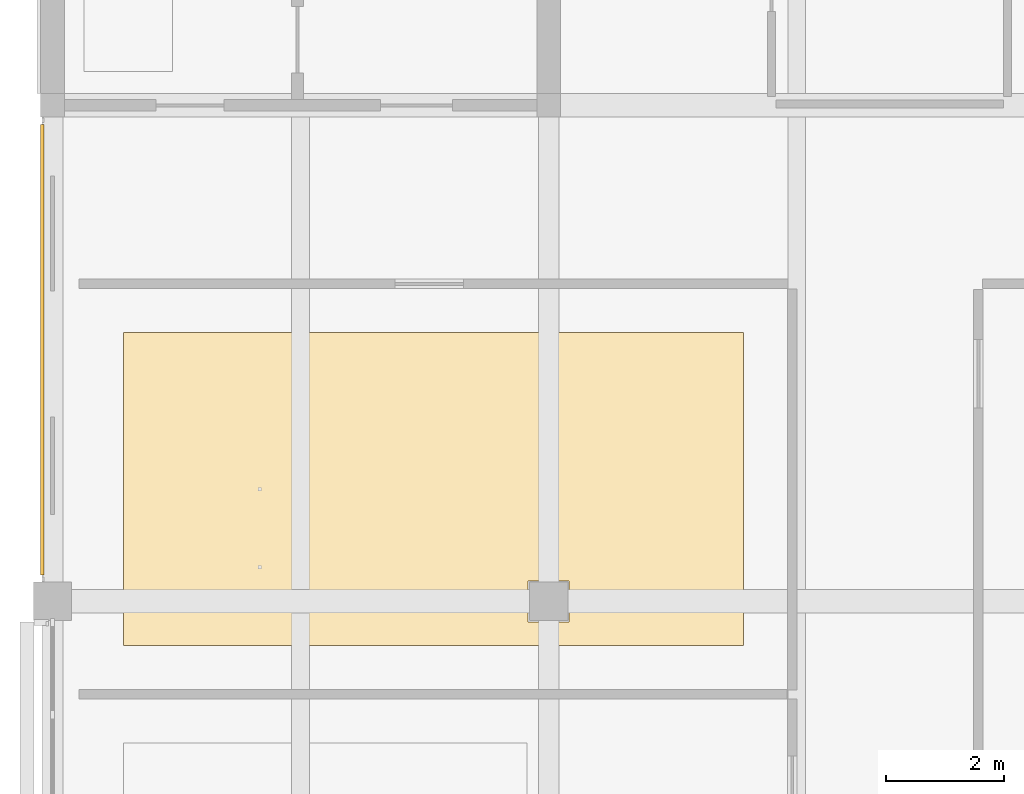
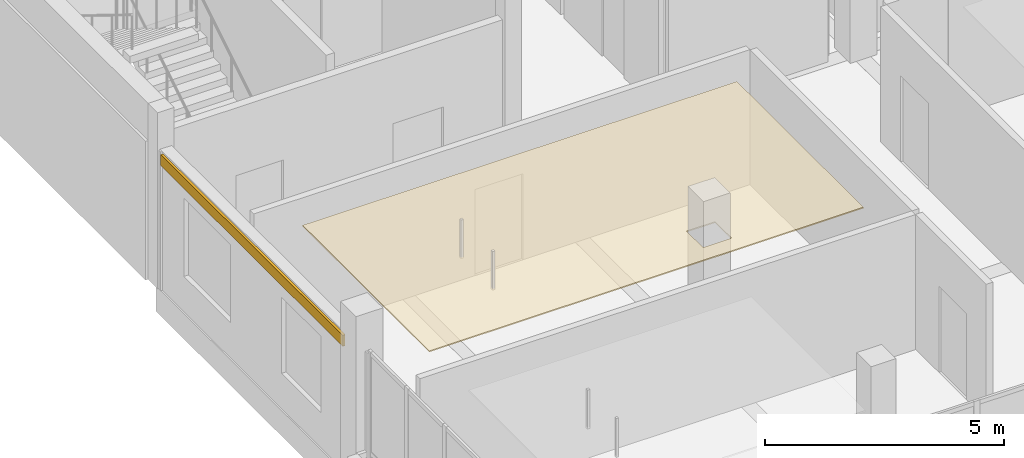
# One storey, part 22 of 30: 2 coverings.
"""IFC4 building model written with IfcOpenShell, lengths in metres."""

from ifc_helpers import new_model, si_unit, direction, frame, origin, origin_2d, place, context, subcontext, project, spatial, polyline, rectangle, outline, extrude, material, layer, layer_set, type_object, element, save


model = new_model("IFC4")

# Units and contexts
model_context = context("Model", 3, precision=1e-05, world=origin(), true_north=direction((0.0, 1.0)))
body_context = subcontext(model_context, "Body", "Model", "MODEL_VIEW")
ifc_project = project(units=[si_unit("LENGTHUNIT", "METRE"), si_unit("AREAUNIT", "SQUARE_METRE"), si_unit("VOLUMEUNIT", "CUBIC_METRE"), si_unit("PLANEANGLEUNIT", "RADIAN"), si_unit("MASSUNIT", "GRAM", prefix="KILO")], contexts=[model_context])

# Site, building, storey
site_placement = place(None, origin())
site = spatial("IfcSite", under=ifc_project, at=site_placement, CompositionType="ELEMENT")
building_placement = place(site_placement, origin())
building = spatial("IfcBuilding", under=site, at=building_placement, Name="Telukmera Botanical Conservatory", CompositionType="ELEMENT")
storey_placement = place(building_placement, frame((0.0, 0.0, 60.0)))
storey = spatial("IfcBuildingStorey", under=building, at=storey_placement, Name="L13", CompositionType="ELEMENT", Elevation=60.0)

# Coverings
ifc_material_1 = material(Name="Mineral fibre acoustic ceiling")
ifc_layer_1 = layer(ifc_material_1, 0.030029296875)
ifc_layer_set_1 = layer_set([ifc_layer_1], Name="Mineral fibre acoustic ceiling")
covering_type_1 = type_object("IfcCoveringType", Name="COV-CEIL-30", PredefinedType="CEILING", material=ifc_layer_set_1)
covering_1_placement = place(storey_placement, frame((0.0, 0.0, 3.320068359375)))
element("IfcCovering", 1, at=covering_1_placement, inside=storey, type_object=covering_type_1, Name="L13 Conservation Genetics Laboratory Suspended Acoustic Ceiling", PredefinedType="CEILING", context=body_context, shape_type="SweptSolid", body=[
    extrude(outline(polyline([(60.0, 16.85009765625), (70.5, 16.85009765625), (70.5, 22.14990234375), (60.0, 22.14990234375), (60.0, 16.85009765625)]), holes=[polyline([(66.85498046875, 17.2548828125), (67.544921875, 17.2548828125), (67.544921875, 17.945068359375), (66.85498046875, 17.945068359375), (66.85498046875, 17.2548828125)])]), origin(), (0.0, 0.0, 1.0), 0.030029296875),
])
ifc_material_2 = material(Name="Terracotta-faced precast concrete C40/50", Category="masonry")
ifc_layer_2 = layer(ifc_material_2, 0.06005859375)
ifc_layer_set_2 = layer_set([ifc_layer_2], Name="Terracotta-faced precast concrete C40/50")
covering_type_2 = type_object("IfcCoveringType", Name="Polychrome Terracotta Facade Band Cladding", PredefinedType="CLADDING", material=ifc_layer_set_2)
covering_2_placement = place(storey_placement, frame((58.6298828125, 21.862548828125, 3.22998046875), z_axis=(0.0, 0.0, 1.0), x_axis=(0.0, 1.0, 0.0)))
element("IfcCovering", 2, at=covering_2_placement, inside=storey, type_object=covering_type_2, Name="Polychrome Terracotta Band V4:L13:W2", PredefinedType="CLADDING", context=body_context, shape_type="SweptSolid", body=[
    extrude(rectangle(XDim=7.631103515625, YDim=0.06005859375, at=origin_2d()), origin(), (0.0, 0.0, 1.0), 0.280029296875),
])

save(model, "model.ifc")
